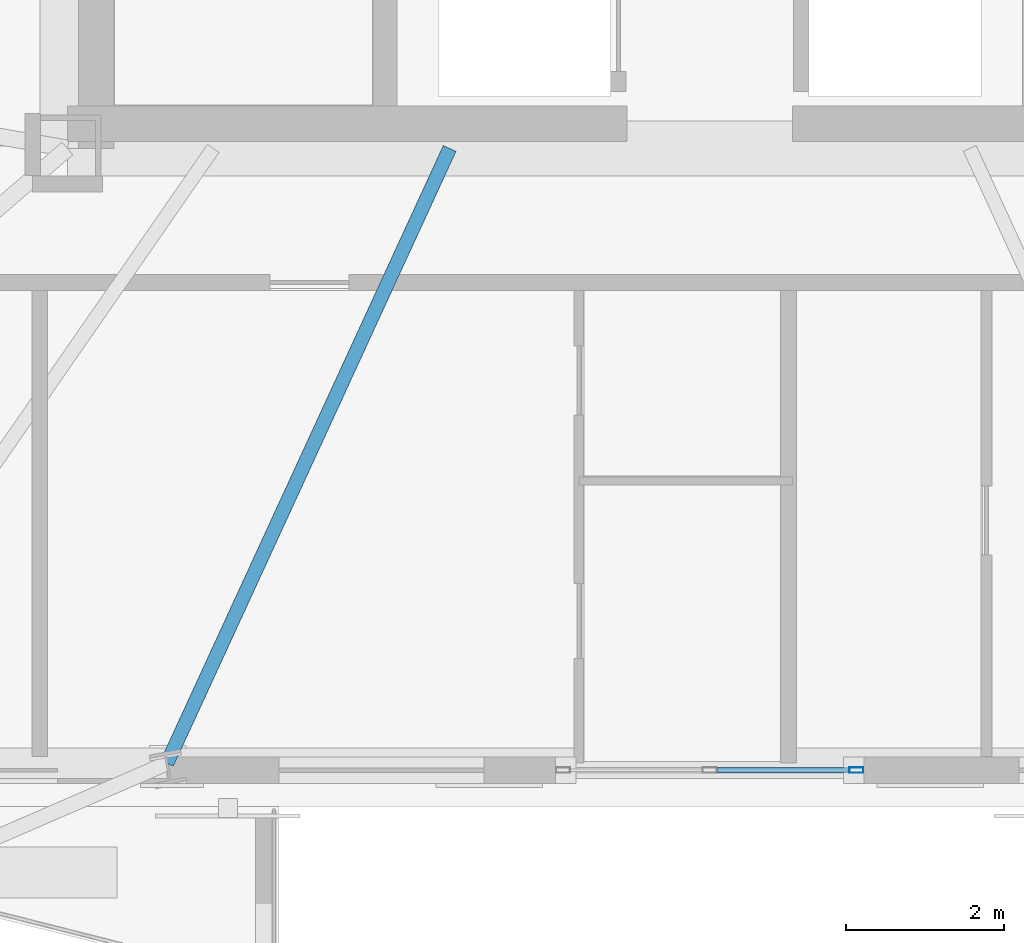
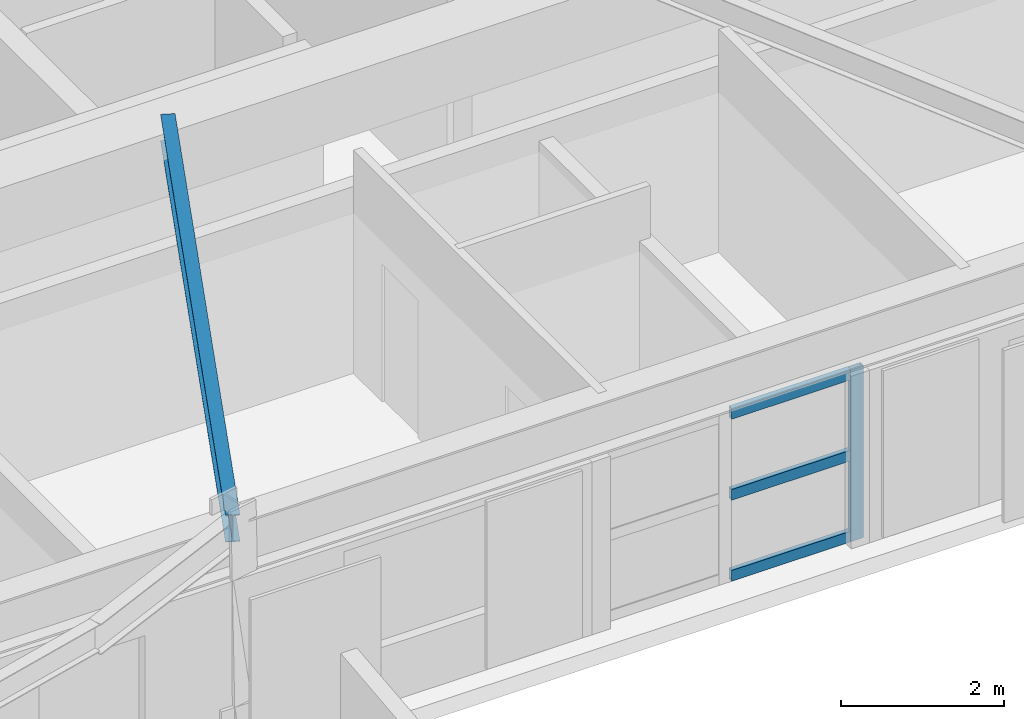
# One storey, part 3 of 15: 4 members, 1 beam, 1 element without a shape of its own.
"""IFC4 building model written with IfcOpenShell, lengths in metres."""

from ifc_helpers import new_model, si_unit, direction, frame, origin, origin_2d, place, context, subcontext, project, spatial, hollow_rectangle, i_section, extrude, material, layer, layer_set, material_profile, profile_set, type_object, element, aggregate, save


model = new_model("IFC4")

# Units and contexts
model_context = context("Model", 3, precision=1e-05, world=origin(), true_north=direction((0.0, 1.0)))
body_context = subcontext(model_context, "Body", "Model", "MODEL_VIEW")
ifc_project = project(units=[si_unit("LENGTHUNIT", "METRE"), si_unit("AREAUNIT", "SQUARE_METRE"), si_unit("VOLUMEUNIT", "CUBIC_METRE"), si_unit("PLANEANGLEUNIT", "RADIAN"), si_unit("MASSUNIT", "GRAM", prefix="KILO")], contexts=[model_context])

# Site, building, storey
site_placement = place(None, origin())
site = spatial("IfcSite", under=ifc_project, at=site_placement, CompositionType="ELEMENT")
building_placement = place(site_placement, origin())
building = spatial("IfcBuilding", under=site, at=building_placement, Name="Oramaril Tower", CompositionType="ELEMENT")
storey_placement = place(building_placement, frame((0.0, 0.0, 93.300048828125)))
storey = spatial("IfcBuildingStorey", under=building, at=storey_placement, Name="L24", CompositionType="ELEMENT", Elevation=93.300048828125)

# Beam
ifc_material_1 = material(Name="Steel ASTM A572 Gr 50", Category="steel")
ifc_material_profile_1 = material_profile(ifc_material_1, i_section(OverallWidth=0.177978515625, OverallDepth=0.404052734375, WebThickness=0.007568359375, FlangeThickness=0.010986328125, at=origin_2d()), Name="W16X36")
ifc_profile_set_1 = profile_set([ifc_material_profile_1], Name="Steel ASTM A572 Gr 50")
beam_type = type_object("IfcBeamType", Name="BT-SB1", PredefinedType="BEAM", material=ifc_profile_set_1)
beam_placement = place(storey_placement, frame((34.199951171875, 11.0, 3.157958984375), z_axis=(-0.417781231492, -0.908547655664, 0.0), x_axis=(0.908547655664, -0.417781231492, 0.0)))
element("IfcBeam", 1, at=beam_placement, inside=storey, type_object=beam_type, Name="L24 Secondary Floor Beam SB-02", PredefinedType="BEAM", context=body_context, shape_type="SweptSolid", body=[
    extrude(i_section(OverallWidth=0.177978515625, OverallDepth=0.404052734375, WebThickness=0.007568359375, FlangeThickness=0.010986328125, at=origin_2d()), origin(), (0.0, 0.0, 1.0), 8.5869140625),
])

# Curtain wall, members
ifc_material_2 = material(Name="Anodised Aluminium 6063-T6", Category="aluminium")
ifc_layer = layer(ifc_material_2, 0.179931640625)
ifc_layer_set = layer_set([ifc_layer], Name="CWT-SYS3")
curtain_wall_type = type_object("IfcCurtainWallType", Name="CWT-SYS3", PredefinedType="NOTDEFINED", material=ifc_layer_set)
curtain_wall_placement = place(storey_placement, origin())
curtain_wall = element("IfcCurtainWall", 2, at=curtain_wall_placement, inside=storey, type_object=curtain_wall_type, Name="L24 Unitised Curtain Wall CW-3", PredefinedType="NOTDEFINED")
ifc_material_3 = material(Name="Anodised Aluminium 6063-T6", Category="aluminium")
ifc_material_profile_2 = material_profile(ifc_material_3, hollow_rectangle(XDim=0.070068359375, YDim=0.179931640625, WallThickness=0.00390625, at=origin_2d()), Name="CWM180X70")
ifc_profile_set_2 = profile_set([ifc_material_profile_2], Name="Anodised Aluminium 6063-T6")
member_type_1 = type_object("IfcMemberType", Name="MT-CWM2", PredefinedType="MULLION", material=ifc_profile_set_2)
member_1_placement = place(storey_placement, frame((39.360107421875, 3.110107421875, 0.0), z_axis=(0.0, 0.0, 1.0), x_axis=(0.0, 1.0, 0.0)))
member_1 = element("IfcMember", 3, at=member_1_placement, type_object=member_type_1, Name="CW-3 mullion 3", PredefinedType="MULLION", context=body_context, shape_type="SweptSolid", body=[
    extrude(hollow_rectangle(XDim=0.070068359375, YDim=0.179931640625, WallThickness=0.00390625, at=origin_2d()), origin(), (0.0, 0.0, 1.0), 2.577880859375),
])
ifc_material_4 = material(Name="Anodised Aluminium 6063-T6", Category="aluminium")
ifc_material_profile_3 = material_profile(ifc_material_4, hollow_rectangle(XDim=0.070068359375, YDim=0.159912109375, WallThickness=0.00390625, at=origin_2d()), Name="CWT160X70")
ifc_profile_set_3 = profile_set([ifc_material_profile_3], Name="Anodised Aluminium 6063-T6")
member_type_2 = type_object("IfcMemberType", Name="MT-CWT1", PredefinedType="USERDEFINED", material=ifc_profile_set_3)
member_2_placement = place(storey_placement, frame((37.590087890625, 3.110107421875, 0.079833984375), z_axis=(1.0, 0.0, 0.0), x_axis=(0.0, 1.0, 0.0)))
member_2 = element("IfcMember", 4, at=member_2_placement, type_object=member_type_2, Name="CW-3 transom 2.1", ObjectType="TRANSOM", PredefinedType="USERDEFINED", context=body_context, shape_type="SweptSolid", body=[
    extrude(hollow_rectangle(XDim=0.070068359375, YDim=0.159912109375, WallThickness=0.00390625, at=origin_2d()), origin(), (0.0, 0.0, 1.0), 1.679931640625),
])
member_3_placement = place(storey_placement, frame((37.590087890625, 3.110107421875, 1.2890625), z_axis=(1.0, 0.0, 0.0), x_axis=(0.0, 1.0, 0.0)))
member_3 = element("IfcMember", 5, at=member_3_placement, type_object=member_type_2, Name="CW-3 transom 2.2", ObjectType="TRANSOM", PredefinedType="USERDEFINED", context=body_context, shape_type="SweptSolid", body=[
    extrude(hollow_rectangle(XDim=0.070068359375, YDim=0.159912109375, WallThickness=0.00390625, at=origin_2d()), origin(), (0.0, 0.0, 1.0), 1.679931640625),
])
member_4_placement = place(storey_placement, frame((37.590087890625, 3.110107421875, 2.498046875), z_axis=(1.0, 0.0, 0.0), x_axis=(0.0, 1.0, 0.0)))
member_4 = element("IfcMember", 6, at=member_4_placement, type_object=member_type_2, Name="CW-3 transom 2.3", ObjectType="TRANSOM", PredefinedType="USERDEFINED", context=body_context, shape_type="SweptSolid", body=[
    extrude(hollow_rectangle(XDim=0.070068359375, YDim=0.159912109375, WallThickness=0.00390625, at=origin_2d()), origin(), (0.0, 0.0, 1.0), 1.679931640625),
])
aggregate(curtain_wall, [member_1, member_2, member_3, member_4])

save(model, "model.ifc")
